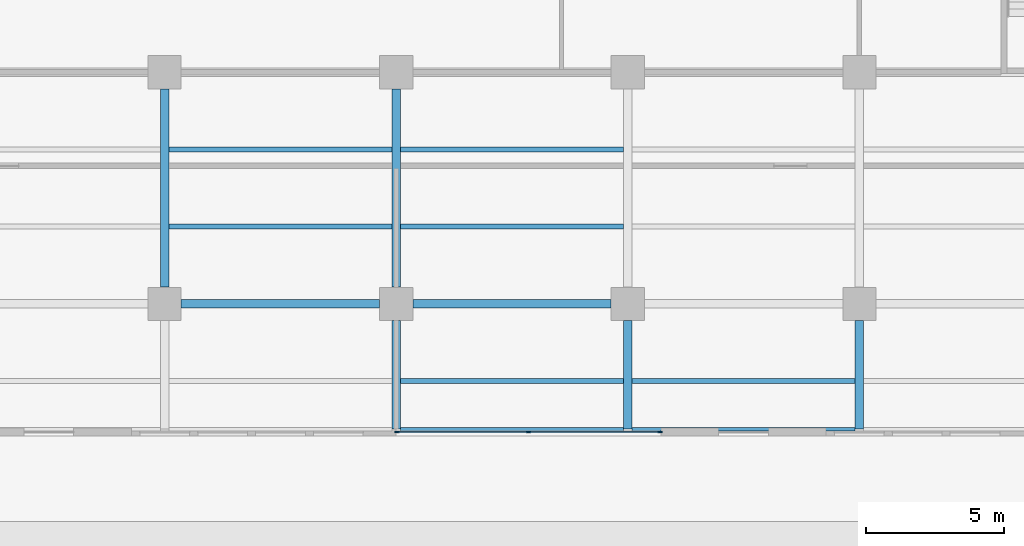
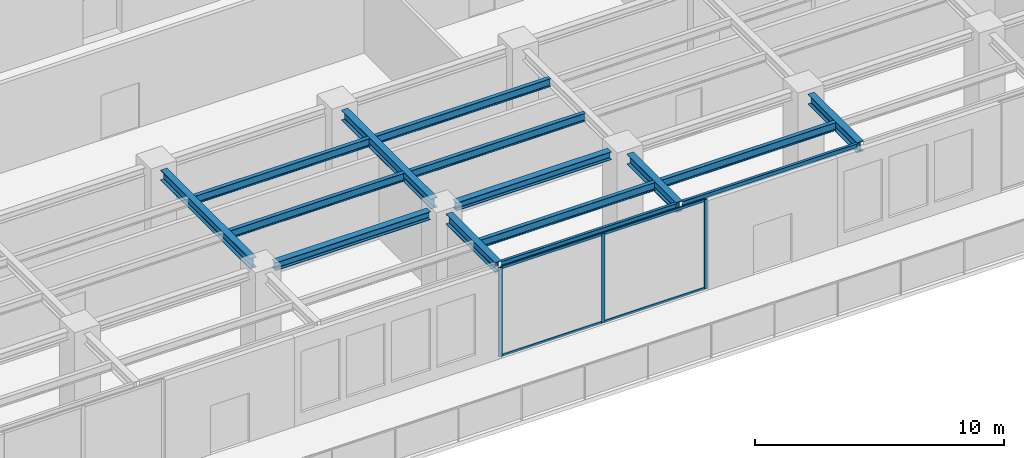
# One storey, part 4 of 32: 15 beams, 7 members, 1 element without a shape of its own.
"""IFC4 building model written with IfcOpenShell, lengths in metres."""

from ifc_helpers import new_model, si_unit, direction, frame, origin, origin_2d, place, context, subcontext, project, spatial, rectangle, i_section, extrude, material, material_profile, profile_set, type_object, element, aggregate, save


model = new_model("IFC4")

# Units and contexts
model_context = context("Model", 3, precision=1e-05, world=origin(), true_north=direction((0.0, 1.0)))
body_context = subcontext(model_context, "Body", "Model", "MODEL_VIEW")
ifc_project = project(units=[si_unit("LENGTHUNIT", "METRE"), si_unit("AREAUNIT", "SQUARE_METRE"), si_unit("VOLUMEUNIT", "CUBIC_METRE"), si_unit("PLANEANGLEUNIT", "RADIAN"), si_unit("MASSUNIT", "GRAM", prefix="KILO")], contexts=[model_context])

# Site, building, storey
site_placement = place(None, origin())
site = spatial("IfcSite", under=ifc_project, at=site_placement, CompositionType="ELEMENT")
building_placement = place(site_placement, origin())
building = spatial("IfcBuilding", under=site, at=building_placement, Name="Khepri Terraces", CompositionType="ELEMENT")
storey_placement = place(building_placement, frame((0.0, 0.0, 12.0)))
storey = spatial("IfcBuildingStorey", under=building, at=storey_placement, Name="L02", CompositionType="ELEMENT", Elevation=12.0)

# Curtain wall, members
ifc_material_1 = material(Name="Anodised aluminium bronze curtain wall", Category="aluminium")
curtain_wall_type = type_object("IfcCurtainWallType", Name="CW-SYS2-PODIUM", PredefinedType="NOTDEFINED", material=ifc_material_1)
curtain_wall_placement = place(storey_placement, origin())
curtain_wall = element("IfcCurtainWall", 1, at=curtain_wall_placement, inside=storey, type_object=curtain_wall_type, Name="Curtain wall CW2 L02 S", PredefinedType="NOTDEFINED")
ifc_material_2 = material(Name="Anodised aluminium bronze", Category="aluminium")
ifc_material_profile_1 = material_profile(ifc_material_2, rectangle(XDim=0.06005859375, YDim=0.159912109375, at=origin_2d()), Name="Anodised aluminium bronze", Category="aluminium")
ifc_profile_set_1 = profile_set([ifc_material_profile_1], Name="Anodised aluminium bronze")
member_type_1 = type_object("IfcMemberType", Name="CW-MULLION-60x160", PredefinedType="MULLION", material=ifc_profile_set_1)
member_1_placement = place(storey_placement, frame((0.030029296875, -38.25, 0.0), z_axis=(0.0, 0.0, 1.0), x_axis=(0.0, 1.0, 0.0)))
member_1 = element("IfcMember", 2, at=member_1_placement, type_object=member_type_1, Name="CW2 mullion 1", PredefinedType="MULLION", context=body_context, shape_type="SweptSolid", body=[
    extrude(rectangle(XDim=0.06005859375, YDim=0.159912109375, at=origin_2d()), origin(), (0.0, 0.0, 1.0), 4.3798828125),
])
member_2_placement = place(storey_placement, frame((4.800048828125, -38.25, 0.0), z_axis=(0.0, 0.0, 1.0), x_axis=(0.0, 1.0, 0.0)))
member_2 = element("IfcMember", 3, at=member_2_placement, type_object=member_type_1, Name="CW2 mullion 2", PredefinedType="MULLION", context=body_context, shape_type="SweptSolid", body=[
    extrude(rectangle(XDim=0.06005859375, YDim=0.159912109375, at=origin_2d()), origin(), (0.0, 0.0, 1.0), 4.3798828125),
])
member_3_placement = place(storey_placement, frame((9.570068359375, -38.25, 0.0), z_axis=(0.0, 0.0, 1.0), x_axis=(0.0, 1.0, 0.0)))
member_3 = element("IfcMember", 4, at=member_3_placement, type_object=member_type_1, Name="CW2 mullion 3", PredefinedType="MULLION", context=body_context, shape_type="SweptSolid", body=[
    extrude(rectangle(XDim=0.06005859375, YDim=0.159912109375, at=origin_2d()), origin(), (0.0, 0.0, 1.0), 4.3798828125),
])
ifc_material_profile_2 = material_profile(ifc_material_2, rectangle(XDim=0.06005859375, YDim=0.1201171875, at=origin_2d()), Name="Anodised aluminium bronze", Category="aluminium")
ifc_profile_set_2 = profile_set([ifc_material_profile_2], Name="Anodised aluminium bronze")
member_type_2 = type_object("IfcMemberType", Name="CW-TRANSOM-60x120", PredefinedType="USERDEFINED", material=ifc_profile_set_2)
member_4_placement = place(storey_placement, frame((0.06005859375, -38.25, 0.030029296875), z_axis=(1.0, 0.0, 0.0), x_axis=(0.0, 1.0, 0.0)))
member_4 = element("IfcMember", 5, at=member_4_placement, type_object=member_type_2, Name="CW2 transom 1.1", ObjectType="TRANSOM", PredefinedType="USERDEFINED", context=body_context, shape_type="SweptSolid", body=[
    extrude(rectangle(XDim=0.06005859375, YDim=0.1201171875, at=origin_2d()), origin(), (0.0, 0.0, 1.0), 4.7099609375),
])
member_5_placement = place(storey_placement, frame((0.06005859375, -38.25, 4.35009765625), z_axis=(1.0, 0.0, 0.0), x_axis=(0.0, 1.0, 0.0)))
member_5 = element("IfcMember", 6, at=member_5_placement, type_object=member_type_2, Name="CW2 transom 1.2", ObjectType="TRANSOM", PredefinedType="USERDEFINED", context=body_context, shape_type="SweptSolid", body=[
    extrude(rectangle(XDim=0.06005859375, YDim=0.1201171875, at=origin_2d()), origin(), (0.0, 0.0, 1.0), 4.7099609375),
])
member_6_placement = place(storey_placement, frame((4.830078125, -38.25, 0.030029296875), z_axis=(1.0, 0.0, 0.0), x_axis=(0.0, 1.0, 0.0)))
member_6 = element("IfcMember", 7, at=member_6_placement, type_object=member_type_2, Name="CW2 transom 2.1", ObjectType="TRANSOM", PredefinedType="USERDEFINED", context=body_context, shape_type="SweptSolid", body=[
    extrude(rectangle(XDim=0.06005859375, YDim=0.1201171875, at=origin_2d()), origin(), (0.0, 0.0, 1.0), 4.7099609375),
])
member_7_placement = place(storey_placement, frame((4.830078125, -38.25, 4.35009765625), z_axis=(1.0, 0.0, 0.0), x_axis=(0.0, 1.0, 0.0)))
member_7 = element("IfcMember", 8, at=member_7_placement, type_object=member_type_2, Name="CW2 transom 2.2", ObjectType="TRANSOM", PredefinedType="USERDEFINED", context=body_context, shape_type="SweptSolid", body=[
    extrude(rectangle(XDim=0.06005859375, YDim=0.1201171875, at=origin_2d()), origin(), (0.0, 0.0, 1.0), 4.7099609375),
])
aggregate(curtain_wall, [member_1, member_2, member_3, member_4, member_5, member_6, member_7])

# Beams
ifc_material_3 = material(Name="Steel S355", Category="steel")
ifc_material_profile_3 = material_profile(ifc_material_3, i_section(OverallWidth=0.300048828125, OverallDepth=0.5, WebThickness=0.014404296875, FlangeThickness=0.028076171875, FilletRadius=0.027099609375, at=origin_2d()), Name="Steel S355", Category="steel")
ifc_profile_set_3 = profile_set([ifc_material_profile_3], Name="Steel S355")
beam_type_1 = type_object("IfcBeamType", Name="Podium cantilever girder L03 HEB 500", PredefinedType="BEAM", material=ifc_profile_set_3)
for number, where, z_axis, x_axis, name in (
    (9, (0.0, -38.14990234375, 4.35009765625), (0.0, 1.0, 0.0), (-1.0, 0.0, 0.0), "Podium girder L03 027"),
    (10, (8.39990234375, -38.14990234375, 4.35009765625), (0.0, 1.0, 0.0), (-1.0, 0.0, 0.0), "Podium girder L03 031"),
    (11, (16.800048828125, -38.14990234375, 4.35009765625), (0.0, 1.0, 0.0), (-1.0, 0.0, 0.0), "Podium girder L03 035"),
):
    element("IfcBeam", number, at=place(storey_placement, frame(where, z_axis=z_axis, x_axis=x_axis)), inside=storey, type_object=beam_type_1, Name=name, PredefinedType="BEAM", context=body_context, shape_type="SweptSolid", body=[
        extrude(i_section(OverallWidth=0.300048828125, OverallDepth=0.5, WebThickness=0.014404296875, FlangeThickness=0.028076171875, FilletRadius=0.027099609375, at=origin_2d()), origin(), (0.0, 0.0, 1.0), 3.949951171875),
    ])
ifc_material_profile_4 = material_profile(ifc_material_3, i_section(OverallWidth=0.1201171875, OverallDepth=0.239990234375, WebThickness=0.006103515625, FlangeThickness=0.009765625, FilletRadius=0.014892578125, at=origin_2d()), Name="Steel S355", Category="steel")
ifc_profile_set_4 = profile_set([ifc_material_profile_4], Name="Steel S355")
beam_type_2 = type_object("IfcBeamType", Name="Podium edge beam L03 IPE 240", PredefinedType="SPANDREL", material=ifc_profile_set_4)
beam_1_placement = place(storey_placement, frame((0.14990234375, -38.14990234375, 4.47998046875), z_axis=(1.0, 0.0, 0.0), x_axis=(0.0, 1.0, 0.0)))
element("IfcBeam", 12, at=beam_1_placement, inside=storey, type_object=beam_type_2, Name="Podium edge beam L03 006", PredefinedType="SPANDREL", context=body_context, shape_type="SweptSolid", body=[
    extrude(i_section(OverallWidth=0.1201171875, OverallDepth=0.239990234375, WebThickness=0.006103515625, FlangeThickness=0.009765625, FilletRadius=0.014892578125, at=origin_2d()), origin(), (0.0, 0.0, 1.0), 8.10009765625),
])
beam_2_placement = place(storey_placement, frame((8.550048828125, -38.14990234375, 4.47998046875), z_axis=(1.0, 0.0, 0.0), x_axis=(0.0, 1.0, 0.0)))
element("IfcBeam", 13, at=beam_2_placement, inside=storey, type_object=beam_type_2, Name="Podium edge beam L03 007", PredefinedType="SPANDREL", context=body_context, shape_type="SweptSolid", body=[
    extrude(i_section(OverallWidth=0.1201171875, OverallDepth=0.239990234375, WebThickness=0.006103515625, FlangeThickness=0.009765625, FilletRadius=0.014892578125, at=origin_2d()), origin(), (0.0, 0.0, 1.0), 8.099853515625),
])
ifc_material_profile_5 = material_profile(ifc_material_3, i_section(OverallWidth=0.300048828125, OverallDepth=0.5, WebThickness=0.014404296875, FlangeThickness=0.028076171875, FilletRadius=0.027099609375, at=origin_2d()), Name="Steel S355", Category="steel")
ifc_profile_set_5 = profile_set([ifc_material_profile_5], Name="Steel S355")
beam_type_3 = type_object("IfcBeamType", Name="Podium girder L03 HEB 500", PredefinedType="BEAM", material=ifc_profile_set_5)
for number, where, z_axis, x_axis, name in (
    (14, (-8.39990234375, -33.0, 4.35009765625), (0.0, 1.0, 0.0), (-1.0, 0.0, 0.0), "Podium girder L03 024"),
    (15, (0.0, -33.0, 4.35009765625), (0.0, 1.0, 0.0), (-1.0, 0.0, 0.0), "Podium girder L03 028"),
):
    element("IfcBeam", number, at=place(storey_placement, frame(where, z_axis=z_axis, x_axis=x_axis)), inside=storey, type_object=beam_type_3, Name=name, PredefinedType="BEAM", context=body_context, shape_type="SweptSolid", body=[
        extrude(i_section(OverallWidth=0.300048828125, OverallDepth=0.5, WebThickness=0.014404296875, FlangeThickness=0.028076171875, FilletRadius=0.027099609375, at=origin_2d()), origin(), (0.0, 0.0, 1.0), 7.199951171875),
    ])
ifc_material_profile_6 = material_profile(ifc_material_3, i_section(OverallWidth=0.300048828125, OverallDepth=0.39990234375, WebThickness=0.013427734375, FlangeThickness=0.02392578125, FilletRadius=0.027099609375, at=origin_2d()), Name="Steel S355", Category="steel")
ifc_profile_set_6 = profile_set([ifc_material_profile_6], Name="Steel S355")
beam_type_4 = type_object("IfcBeamType", Name="Podium girder L03 grid line HEB 400", PredefinedType="BEAM", material=ifc_profile_set_6)
for number, where, z_axis, x_axis, name in (
    (16, (-7.800048828125, -33.60009765625, 4.39990234375), (1.0, 0.0, 0.0), (0.0, 1.0, 0.0), "Podium grid-line girder L03 015"),
    (17, (0.60009765625, -33.60009765625, 4.39990234375), (1.0, 0.0, 0.0), (0.0, 1.0, 0.0), "Podium grid-line girder L03 016"),
):
    element("IfcBeam", number, at=place(storey_placement, frame(where, z_axis=z_axis, x_axis=x_axis)), inside=storey, type_object=beam_type_4, Name=name, PredefinedType="BEAM", context=body_context, shape_type="SweptSolid", body=[
        extrude(i_section(OverallWidth=0.300048828125, OverallDepth=0.39990234375, WebThickness=0.013427734375, FlangeThickness=0.02392578125, FilletRadius=0.027099609375, at=origin_2d()), origin(), (0.0, 0.0, 1.0), 7.199951171875),
    ])
ifc_material_profile_7 = material_profile(ifc_material_3, i_section(OverallWidth=0.179931640625, OverallDepth=0.39990234375, WebThickness=0.008544921875, FlangeThickness=0.013427734375, FilletRadius=0.02099609375, at=origin_2d()), Name="Steel S355", Category="steel")
ifc_profile_set_7 = profile_set([ifc_material_profile_7], Name="Steel S355")
beam_type_5 = type_object("IfcBeamType", Name="Podium joist L03 IPE 400", PredefinedType="JOIST", material=ifc_profile_set_7)
beam_3_placement = place(storey_placement, frame((0.14990234375, -36.39990234375, 4.39990234375), z_axis=(1.0, 0.0, 0.0), x_axis=(0.0, 1.0, 0.0)))
element("IfcBeam", 18, at=beam_3_placement, inside=storey, type_object=beam_type_5, Name="Podium joist L03 006", PredefinedType="JOIST", context=body_context, shape_type="SweptSolid", body=[
    extrude(i_section(OverallWidth=0.179931640625, OverallDepth=0.39990234375, WebThickness=0.008544921875, FlangeThickness=0.013427734375, FilletRadius=0.02099609375, at=origin_2d()), origin(), (0.0, 0.0, 1.0), 8.10009765625),
])
beam_4_placement = place(storey_placement, frame((8.550048828125, -36.39990234375, 4.39990234375), z_axis=(1.0, 0.0, 0.0), x_axis=(0.0, 1.0, 0.0)))
element("IfcBeam", 19, at=beam_4_placement, inside=storey, type_object=beam_type_5, Name="Podium joist L03 007", PredefinedType="JOIST", context=body_context, shape_type="SweptSolid", body=[
    extrude(i_section(OverallWidth=0.179931640625, OverallDepth=0.39990234375, WebThickness=0.008544921875, FlangeThickness=0.013427734375, FilletRadius=0.02099609375, at=origin_2d()), origin(), (0.0, 0.0, 1.0), 8.099853515625),
])
for number, where, z_axis, x_axis, name in (
    (20, (-8.25, -30.800048828125, 4.39990234375), (1.0, 0.0, 0.0), (0.0, 1.0, 0.0), "Podium joist L03 025"),
    (21, (0.14990234375, -30.800048828125, 4.39990234375), (1.0, 0.0, 0.0), (0.0, 1.0, 0.0), "Podium joist L03 026"),
    (22, (-8.25, -28.0, 4.39990234375), (1.0, 0.0, 0.0), (0.0, 1.0, 0.0), "Podium joist L03 035"),
    (23, (0.14990234375, -28.0, 4.39990234375), (1.0, 0.0, 0.0), (0.0, 1.0, 0.0), "Podium joist L03 036"),
):
    element("IfcBeam", number, at=place(storey_placement, frame(where, z_axis=z_axis, x_axis=x_axis)), inside=storey, type_object=beam_type_5, Name=name, PredefinedType="JOIST", context=body_context, shape_type="SweptSolid", body=[
        extrude(i_section(OverallWidth=0.179931640625, OverallDepth=0.39990234375, WebThickness=0.008544921875, FlangeThickness=0.013427734375, FilletRadius=0.02099609375, at=origin_2d()), origin(), (0.0, 0.0, 1.0), 8.10009765625),
    ])

save(model, "model.ifc")
